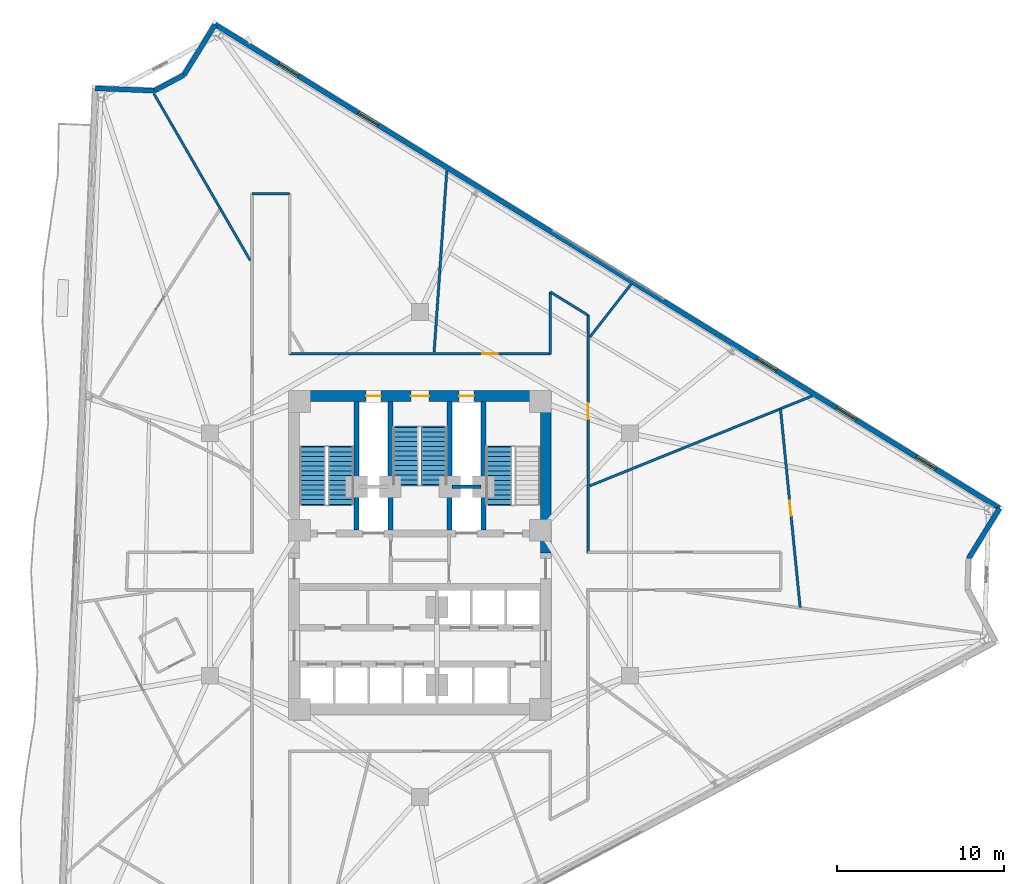
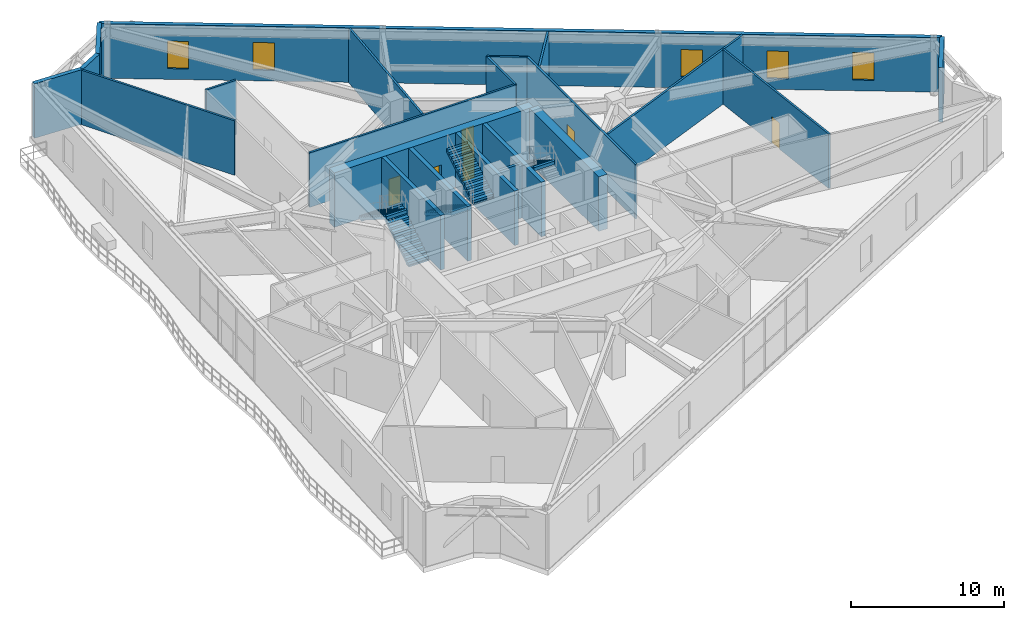
# One storey, part 19 of 22: 22 walls, 6 doors, 5 stair flights, 5 windows, 11 openings, 3 elements without a shape of their own.
"""IFC4 building model written with IfcOpenShell, lengths in metres."""

import ifcopenshell
import ifcopenshell.guid

model = None  # the IFC model being written
_history = None  # IfcOwnerHistory: only IFC2X3 demands one
_inside = {}  # id of a spatial element -> (the spatial element, [elements in it])
_under = {}  # id of a project, library or spatial element -> (it, [spatial elements below it])
_declared = {}  # id of a project -> (the project, [libraries it declares])
_typed = {}  # id of a type object -> (the type object, [elements of that type])
_made_of = {}  # id of a material, layer set ... -> (it, [elements and type objects made of it])


def new_model(schema):
    """Start an empty IFC model of exactly this schema.

    Asked for "IFC4X3", IfcOpenShell would pick the latest addendum, in which some entities
    have other attributes; the version numbers below select the first issue.
    IFC2X3 requires an IfcOwnerHistory on every rooted entity: one is made here for all.
    """
    global model, _history
    if schema == "IFC4X3":
        model = ifcopenshell.file(schema_version=(4, 3, 0, 0))
    else:
        model = ifcopenshell.file(schema=schema)
    _inside.clear()
    _under.clear()
    _declared.clear()
    _typed.clear()
    _made_of.clear()
    _history = None
    if model.schema == "IFC2X3":
        org = make("IfcOrganization", Name="unknown")
        user = make(
            "IfcPersonAndOrganization",
            ThePerson=make("IfcPerson", FamilyName="unknown"),
            TheOrganization=org,
        )
        app = make(
            "IfcApplication",
            ApplicationDeveloper=org,
            Version="unknown",
            ApplicationFullName="unknown",
            ApplicationIdentifier="unknown",
        )
        _history = make(
            "IfcOwnerHistory",
            OwningUser=user,
            OwningApplication=app,
            ChangeAction="ADDED",
            CreationDate=0,
        )
    return model


def make(cls, **values):
    """One entity of the class cls with the attributes given. An attribute that is None is left unset."""
    return model.create_entity(
        cls, **{name: value for name, value in values.items() if value is not None}
    )


def rooted(cls, **values):
    """An entity with a GlobalId (a new one), such as an element, a storey or a relation."""
    return make(cls, GlobalId=ifcopenshell.guid.new(), OwnerHistory=_history, **values)


def si_unit(unit_type, name, prefix=None):
    """IfcSIUnit, for example si_unit("LENGTHUNIT", "METRE", prefix="MILLI")."""
    return make("IfcSIUnit", UnitType=unit_type, Prefix=prefix, Name=name)


def assignment(units):
    """IfcUnitAssignment: the units of a project."""
    return None if units is None else make("IfcUnitAssignment", Units=units)


def point(xyz):
    """IfcCartesianPoint."""
    return None if xyz is None else make("IfcCartesianPoint", Coordinates=xyz)


def direction(xyz):
    """IfcDirection."""
    return None if xyz is None else make("IfcDirection", DirectionRatios=xyz)


def frame(location, z_axis=None, x_axis=None):
    """IfcAxis2Placement3D, a coordinate frame: its origin and axes. An axis left out is left unset."""
    return make(
        "IfcAxis2Placement3D",
        Location=point(location),
        Axis=direction(z_axis),
        RefDirection=direction(x_axis),
    )


def frame_2d(location, x_axis=None):
    """IfcAxis2Placement2D, a coordinate frame in the plane: its origin and x axis."""
    return make(
        "IfcAxis2Placement2D", Location=point(location), RefDirection=direction(x_axis)
    )


def origin():
    """The frame at (0, 0, 0) with its axes left unset."""
    return frame((0.0, 0.0, 0.0))


def place(relative_to, where):
    """IfcLocalPlacement: puts the frame where relative to a parent placement (None: the world)."""
    return make(
        "IfcLocalPlacement", PlacementRelTo=relative_to, RelativePlacement=where
    )


def context(
    kind, dimensions, precision=None, world=None, true_north=None, identifier=None
):
    """IfcGeometricRepresentationContext, for example the 3D "Model" context."""
    return make(
        "IfcGeometricRepresentationContext",
        ContextIdentifier=identifier,
        ContextType=kind,
        CoordinateSpaceDimension=dimensions,
        Precision=precision,
        WorldCoordinateSystem=world,
        TrueNorth=true_north,
    )


def subcontext(parent, identifier, kind, view, scale=None):
    """IfcGeometricRepresentationSubContext, for example "Body" below "Model"."""
    return make(
        "IfcGeometricRepresentationSubContext",
        ContextIdentifier=identifier,
        ContextType=kind,
        ParentContext=parent,
        TargetScale=scale,
        TargetView=view,
    )


def project(units=None, contexts=None):
    """IfcProject with its units and contexts."""
    return rooted(
        "IfcProject",
        Name="project",
        RepresentationContexts=contexts,
        UnitsInContext=assignment(units),
    )


def spatial(cls, under=None, at=None, **own):
    """A site, building, storey or space (cls), placed at a placement, below another one or the project."""
    s = rooted(cls, ObjectPlacement=at, **own)
    if under is not None:
        _under.setdefault(under.id(), (under, []))[1].append(s)
    return s


def polyline(points):
    """IfcPolyline through the points."""
    return make("IfcPolyline", Points=[point(p) for p in points])


def profile(cls, at=None, kind="AREA", **sizes):
    """A parametric profile (cls). Its sizes go by their IFC names, for example OverallWidth=200.0."""
    return make(cls, ProfileType=kind, Position=at, **sizes)


def rectangle(**sizes):
    """IfcRectangleProfileDef."""
    return profile("IfcRectangleProfileDef", **sizes)


def outline(outer, holes=None, kind="AREA"):
    """IfcArbitraryClosedProfileDef: a profile drawn as a closed curve; with holes, ...WithVoids."""
    if holes is None:
        return make("IfcArbitraryClosedProfileDef", ProfileType=kind, OuterCurve=outer)
    return make(
        "IfcArbitraryProfileDefWithVoids",
        ProfileType=kind,
        OuterCurve=outer,
        InnerCurves=holes,
    )


def extrude(swept, where, along, depth):
    """IfcExtrudedAreaSolid: the profile swept, set in the frame where, extruded along a direction by depth."""
    return make(
        "IfcExtrudedAreaSolid",
        SweptArea=swept,
        Position=where,
        ExtrudedDirection=direction(along),
        Depth=depth,
    )


def shape(context_of_items, identifier, shape_type, items):
    """IfcShapeRepresentation: the items that make up one representation, for example the "Body"."""
    return make(
        "IfcShapeRepresentation",
        ContextOfItems=context_of_items,
        RepresentationIdentifier=identifier,
        RepresentationType=shape_type,
        Items=items,
    )


def material(Name=None, Category=None):
    """IfcMaterial."""
    return make("IfcMaterial", Name=Name, Category=Category)


def layer(
    of_material, thickness, ventilated=None, Name=None, Category=None, Priority=None
):
    """IfcMaterialLayer: one layer of a wall or slab, of a material (None: an air gap)."""
    return make(
        "IfcMaterialLayer",
        Material=of_material,
        LayerThickness=thickness,
        IsVentilated=ventilated,
        Name=Name,
        Category=Category,
        Priority=Priority,
    )


def layer_set(layers, Name=None):
    """IfcMaterialLayerSet."""
    return make("IfcMaterialLayerSet", MaterialLayers=layers, LayerSetName=Name)


def made_of(thing, what):
    """Note that an element or type object is made of a material, layer set ...; save() writes the relation."""
    if what is not None:
        _made_of.setdefault(what.id(), (what, []))[1].append(thing)
    return thing


def type_object(cls, material=None, **own):
    """A type object (cls), such as IfcWallType, which elements share."""
    return made_of(rooted(cls, **own), material)


def element(
    cls,
    number,
    at=None,
    inside=None,
    cuts=None,
    type_object=None,
    material=None,
    context=None,
    identifier="Body",
    shape_type=None,
    held_by="IfcProductDefinitionShape",
    body=None,
    shapes=None,
    **own,
):
    """One element of the class cls, such as IfcWall. Its Tag is "e" and its number.

    at: its placement. inside: the storey or other place that contains it. cuts: it is an
    opening in that element (IfcRelVoidsElement). A single representation is given by context,
    identifier, shape_type and body (its items); several are given by shapes. held_by: the class
    of the entity that holds the representations. save() writes the other relations.
    """
    e = rooted(cls, Tag="e%d" % number, ObjectPlacement=at, **own)
    if body is not None:
        shapes = [shape(context, identifier, shape_type, body)]
    if shapes is not None:
        e.Representation = make(held_by, Representations=shapes)
    if inside is not None:
        _inside.setdefault(inside.id(), (inside, []))[1].append(e)
    if cuts is not None:
        rooted(
            "IfcRelVoidsElement", RelatingBuildingElement=cuts, RelatedOpeningElement=e
        )
    if type_object is not None:
        _typed.setdefault(type_object.id(), (type_object, []))[1].append(e)
    return made_of(e, material)


def fill(opening, filler):
    """IfcRelFillsElement: the door or window that sits in an opening."""
    return rooted(
        "IfcRelFillsElement",
        RelatingOpeningElement=opening,
        RelatedBuildingElement=filler,
    )


def aggregate(whole, parts):
    """IfcRelAggregates: a whole, such as a stair, and the parts it consists of."""
    return rooted("IfcRelAggregates", RelatingObject=whole, RelatedObjects=parts)


def save(model, path):
    """Write the relations noted so far, then the file.

    IfcRelAggregates (storeys below a building ...), IfcRelContainedInSpatialStructure (elements
    in a storey), IfcRelDefinesByType, IfcRelAssociatesMaterial and IfcRelDeclares: one each for
    every whole, place, type object, material and project.
    """
    for whole, parts in _under.values():
        aggregate(whole, parts)
    for where, things in _inside.values():
        rooted(
            "IfcRelContainedInSpatialStructure",
            RelatedElements=things,
            RelatingStructure=where,
        )
    for kind, things in _typed.values():
        rooted("IfcRelDefinesByType", RelatedObjects=things, RelatingType=kind)
    for what, things in _made_of.values():
        rooted("IfcRelAssociatesMaterial", RelatedObjects=things, RelatingMaterial=what)
    for by, libraries in _declared.values():
        rooted("IfcRelDeclares", RelatingContext=by, RelatedDefinitions=libraries)
    model.write(path)


model = new_model("IFC4")

# Units and contexts
model_context = context("Model", 3, precision=1e-05, world=origin(), true_north=direction((0.0, 1.0)))
body_context = subcontext(model_context, "Body", "Model", "MODEL_VIEW")
ifc_project = project(units=[si_unit("LENGTHUNIT", "METRE"), si_unit("AREAUNIT", "SQUARE_METRE"), si_unit("VOLUMEUNIT", "CUBIC_METRE"), si_unit("PLANEANGLEUNIT", "RADIAN"), si_unit("MASSUNIT", "GRAM", prefix="KILO")], contexts=[model_context])

# Site, building, storey
site_placement = place(None, origin())
site = spatial("IfcSite", under=ifc_project, at=site_placement, CompositionType="ELEMENT")
building_placement = place(site_placement, origin())
building = spatial("IfcBuilding", under=site, at=building_placement, Name="Apsidion Concourse Tower", CompositionType="ELEMENT")
storey_placement = place(building_placement, frame((0.0, 0.0, 160.89990234375)))
storey = spatial("IfcBuildingStorey", under=building, at=storey_placement, Name="L37", CompositionType="ELEMENT", Elevation=160.89990234375)

# Wall, openings, windows
ifc_material_1 = material(Name="Precast concrete C40/50", Category="concrete")
ifc_layer_1 = layer(ifc_material_1, 0.300048828125)
ifc_layer_set_1 = layer_set([ifc_layer_1], Name="Precast concrete C40/50")
wall_type_1 = type_object("IfcWallType", Name="WL-EXT-300", PredefinedType="STANDARD", material=ifc_layer_set_1)
wall_1_placement = place(storey_placement, frame((-12.255126953125, 31.68896484375, 0.0), z_axis=(0.0, 0.0, 1.0), x_axis=(0.851166647402, -0.524895549944, 0.0)))
wall_1 = element("IfcWall", 1, at=wall_1_placement, inside=storey, type_object=wall_type_1, Name="L37 Precast Stone Facade Wall 01", PredefinedType="STANDARD", context=body_context, shape_type="SweptSolid", body=[
    extrude(rectangle(XDim=55.110595703125, YDim=0.300048828125, at=frame_2d((27.55517578125, 0.0))), origin(), (0.0, 0.0, 1.0), 4.35009765625),
])
opening_1_placement = place(wall_1_placement, frame((4.455322265625, 0.0, 0.85009765625)))
opening_1 = element("IfcOpeningElement", 2, at=opening_1_placement, cuts=wall_1, Name="Opening WN-05", PredefinedType="OPENING", context=body_context, shape_type="SweptSolid", body=[
    extrude(rectangle(XDim=1.39990234375, YDim=2.199951171875, at=frame_2d((0.699951171875, 1.10009765625))), frame((0.0, 0.16015625, 0.0), z_axis=(0.0, -1.0, 0.0), x_axis=(1.0, 0.0, 0.0)), (0.0, 0.0, 1.0), 0.320068359375),
])
opening_2_placement = place(wall_1_placement, frame((10.055419921875, 0.0, 0.85009765625)))
opening_2 = element("IfcOpeningElement", 3, at=opening_2_placement, cuts=wall_1, Name="Opening WN-05", PredefinedType="OPENING", context=body_context, shape_type="SweptSolid", body=[
    extrude(rectangle(XDim=1.39990234375, YDim=2.199951171875, at=frame_2d((0.699951171875, 1.10009765625))), frame((0.0, 0.16015625, 0.0), z_axis=(0.0, -1.0, 0.0), x_axis=(1.0, 0.0, 0.0)), (0.0, 0.0, 1.0), 0.320068359375),
])
opening_3_placement = place(wall_1_placement, frame((38.055419921875, 0.0, 0.85009765625)))
opening_3 = element("IfcOpeningElement", 4, at=opening_3_placement, cuts=wall_1, Name="Opening WN-05", PredefinedType="OPENING", context=body_context, shape_type="SweptSolid", body=[
    extrude(rectangle(XDim=1.39990234375, YDim=2.199951171875, at=frame_2d((0.699951171875, 1.10009765625))), frame((0.0, 0.16015625, 0.0), z_axis=(0.0, -1.0, 0.0), x_axis=(1.0, 0.0, 0.0)), (0.0, 0.0, 1.0), 0.320068359375),
])
opening_4_placement = place(wall_1_placement, frame((43.6552734375, 0.0, 0.85009765625)))
opening_4 = element("IfcOpeningElement", 5, at=opening_4_placement, cuts=wall_1, Name="Opening WN-05", PredefinedType="OPENING", context=body_context, shape_type="SweptSolid", body=[
    extrude(rectangle(XDim=1.39990234375, YDim=2.199951171875, at=frame_2d((0.699951171875, 1.10009765625))), frame((0.0, 0.16015625, 0.0), z_axis=(0.0, -1.0, 0.0), x_axis=(1.0, 0.0, 0.0)), (0.0, 0.0, 1.0), 0.320068359375),
])
opening_5_placement = place(wall_1_placement, frame((49.25537109375, 0.0, 0.85009765625)))
opening_5 = element("IfcOpeningElement", 6, at=opening_5_placement, cuts=wall_1, Name="Opening WN-05", PredefinedType="OPENING", context=body_context, shape_type="SweptSolid", body=[
    extrude(rectangle(XDim=1.39990234375, YDim=2.199951171875, at=frame_2d((0.699951171875, 1.10009765625))), frame((0.0, 0.16015625, 0.0), z_axis=(0.0, -1.0, 0.0), x_axis=(1.0, 0.0, 0.0)), (0.0, 0.0, 1.0), 0.320068359375),
])
ifc_material_2 = material(Name="Insulated laminated low-E glass", Category="glass")
window_type = type_object("IfcWindowType", Name="WN-OFF-1424", PartitioningType="SINGLE_PANEL", PredefinedType="WINDOW", material=ifc_material_2)
window_1_placement = place(opening_1_placement, origin())
window_1 = element("IfcWindow", 7, at=window_1_placement, inside=storey, type_object=window_type, Name="L37 Punched Facade Window 1-01", OverallHeight=2.199951171875, OverallWidth=1.39990234375, PartitioningType="SINGLE_PANEL", PredefinedType="WINDOW", context=body_context, shape_type="SweptSolid", body=[
    extrude(rectangle(XDim=1.39990234375, YDim=2.199951171875, at=frame_2d((0.699951171875, 1.10009765625))), frame((0.0, 0.030029296875, 0.0), z_axis=(0.0, -1.0, 0.0), x_axis=(1.0, 0.0, 0.0)), (0.0, 0.0, 1.0), 0.06005859375),
])
fill(opening_1, window_1)
window_2_placement = place(opening_2_placement, origin())
window_2 = element("IfcWindow", 8, at=window_2_placement, inside=storey, type_object=window_type, Name="L37 Punched Facade Window 1-02", OverallHeight=2.199951171875, OverallWidth=1.39990234375, PartitioningType="SINGLE_PANEL", PredefinedType="WINDOW", context=body_context, shape_type="SweptSolid", body=[
    extrude(rectangle(XDim=1.39990234375, YDim=2.199951171875, at=frame_2d((0.699951171875, 1.10009765625))), frame((0.0, 0.030029296875, 0.0), z_axis=(0.0, -1.0, 0.0), x_axis=(1.0, 0.0, 0.0)), (0.0, 0.0, 1.0), 0.06005859375),
])
fill(opening_2, window_2)
window_3_placement = place(opening_3_placement, origin())
window_3 = element("IfcWindow", 9, at=window_3_placement, inside=storey, type_object=window_type, Name="L37 Punched Facade Window 1-07", OverallHeight=2.199951171875, OverallWidth=1.39990234375, PartitioningType="SINGLE_PANEL", PredefinedType="WINDOW", context=body_context, shape_type="SweptSolid", body=[
    extrude(rectangle(XDim=1.39990234375, YDim=2.199951171875, at=frame_2d((0.699951171875, 1.10009765625))), frame((0.0, 0.030029296875, 0.0), z_axis=(0.0, -1.0, 0.0), x_axis=(1.0, 0.0, 0.0)), (0.0, 0.0, 1.0), 0.06005859375),
])
fill(opening_3, window_3)
window_4_placement = place(opening_4_placement, origin())
window_4 = element("IfcWindow", 10, at=window_4_placement, inside=storey, type_object=window_type, Name="L37 Punched Facade Window 1-08", OverallHeight=2.199951171875, OverallWidth=1.39990234375, PartitioningType="SINGLE_PANEL", PredefinedType="WINDOW", context=body_context, shape_type="SweptSolid", body=[
    extrude(rectangle(XDim=1.39990234375, YDim=2.199951171875, at=frame_2d((0.699951171875, 1.10009765625))), frame((0.0, 0.030029296875, 0.0), z_axis=(0.0, -1.0, 0.0), x_axis=(1.0, 0.0, 0.0)), (0.0, 0.0, 1.0), 0.06005859375),
])
fill(opening_4, window_4)
window_5_placement = place(opening_5_placement, origin())
window_5 = element("IfcWindow", 11, at=window_5_placement, inside=storey, type_object=window_type, Name="L37 Punched Facade Window 1-09", OverallHeight=2.199951171875, OverallWidth=1.39990234375, PartitioningType="SINGLE_PANEL", PredefinedType="WINDOW", context=body_context, shape_type="SweptSolid", body=[
    extrude(rectangle(XDim=1.39990234375, YDim=2.199951171875, at=frame_2d((0.699951171875, 1.10009765625))), frame((0.0, 0.030029296875, 0.0), z_axis=(0.0, -1.0, 0.0), x_axis=(1.0, 0.0, 0.0)), (0.0, 0.0, 1.0), 0.06005859375),
])
fill(opening_5, window_5)

# Walls
wall_2_placement = place(storey_placement, frame((34.653076171875, 2.76171875, 0.0), z_axis=(0.0, 0.0, 1.0), x_axis=(-0.524920336071, -0.85115136185, 0.0)))
element("IfcWall", 12, at=wall_2_placement, inside=storey, type_object=wall_type_1, Name="L37 Precast Stone Facade Wall 02", PredefinedType="STANDARD", context=body_context, shape_type="SweptSolid", body=[
    extrude(rectangle(XDim=3.541259765625, YDim=0.300048828125, at=frame_2d((1.7705078125, 0.0))), origin(), (0.0, 0.0, 1.0), 4.35009765625),
])
wall_3_placement = place(storey_placement, frame((-19.418212890625, 27.880126953125, 0.0), z_axis=(0.0, 0.0, 1.0), x_axis=(0.999167250485, -0.040802028853, 0.0)))
element("IfcWall", 13, at=wall_3_placement, inside=storey, type_object=wall_type_1, Name="L37 Precast Stone Facade Wall 10", PredefinedType="STANDARD", context=body_context, shape_type="SweptSolid", body=[
    extrude(rectangle(XDim=3.542236328125, YDim=0.300048828125, at=frame_2d((1.77099609375, 0.0))), origin(), (0.0, 0.0, 1.0), 4.35009765625),
])
wall_4_placement = place(storey_placement, frame((-15.87890625, 27.735595703125, 0.0), z_axis=(0.0, 0.0, 1.0), x_axis=(0.882930579665, 0.469503558552, 0.0)))
element("IfcWall", 14, at=wall_4_placement, inside=storey, type_object=wall_type_1, Name="L37 Precast Stone Facade Wall 11", PredefinedType="STANDARD", context=body_context, shape_type="SweptSolid", body=[
    extrude(rectangle(XDim=1.998291015625, YDim=0.300048828125, at=frame_2d((0.9990234375, 0.0))), origin(), (0.0, 0.0, 1.0), 4.35009765625),
])
wall_5_placement = place(storey_placement, frame((-14.114501953125, 28.673828125, 0.0), z_axis=(0.0, 0.0, 1.0), x_axis=(0.524897025004, 0.851165737763, 0.0)))
element("IfcWall", 15, at=wall_5_placement, inside=storey, type_object=wall_type_1, Name="L37 Precast Stone Facade Wall 12", PredefinedType="STANDARD", context=body_context, shape_type="SweptSolid", body=[
    extrude(rectangle(XDim=3.54248046875, YDim=0.300048828125, at=frame_2d((1.771240234375, 0.0))), origin(), (0.0, 0.0, 1.0), 4.35009765625),
])
ifc_material_3 = material(Name="Gypsum plasterboard partition")
ifc_layer_2 = layer(ifc_material_3, 0.14990234375)
ifc_layer_set_2 = layer_set([ifc_layer_2], Name="Gypsum plasterboard partition")
wall_type_2 = type_object("IfcWallType", Name="WL-INT-PAR-150", PredefinedType="PARTITIONING", material=ifc_layer_set_2)
wall_6_placement = place(storey_placement, frame((-10.050048828125, 21.580078125, 0.0), z_axis=(0.0, 0.0, 1.0), x_axis=(1.0, 0.0, 0.0)))
element("IfcWall", 16, at=wall_6_placement, inside=storey, type_object=wall_type_2, Name="L37 Interior Partition WL-L37-CORR-11", PredefinedType="PARTITIONING", context=body_context, shape_type="SweptSolid", body=[
    extrude(rectangle(XDim=2.260009765625, YDim=0.14990234375, at=frame_2d((1.1298828125, 0.0))), origin(), (0.0, 0.0, 1.0), 4.35009765625),
])

# Wall, opening, door
wall_7_placement = place(storey_placement, frame((-7.7900390625, 12.0, 0.0), z_axis=(0.0, 0.0, 1.0), x_axis=(1.0, 0.0, 0.0)))
wall_7 = element("IfcWall", 17, at=wall_7_placement, inside=storey, type_object=wall_type_2, Name="L37 Interior Partition WL-L37-CORR-13", PredefinedType="PARTITIONING", context=body_context, shape_type="SweptSolid", body=[
    extrude(rectangle(XDim=15.580078125, YDim=0.14990234375, at=frame_2d((7.7900390625, 0.0))), origin(), (0.0, 0.0, 1.0), 4.35009765625),
])
opening_6_placement = place(wall_7_placement, frame((11.50439453125, 0.0, 0.0)))
opening_6 = element("IfcOpeningElement", 18, at=opening_6_placement, cuts=wall_7, Name="Opening D-01R", PredefinedType="OPENING", context=body_context, shape_type="SweptSolid", body=[
    extrude(rectangle(XDim=0.949951171875, YDim=2.14990234375, at=frame_2d((0.47509765625, 1.074951171875))), frame((0.0, 0.0849609375, 0.0), z_axis=(0.0, -1.0, 0.0), x_axis=(1.0, 0.0, 0.0)), (0.0, 0.0, 1.0), 0.169921875),
])
ifc_material_4 = material(Name="Brushed stainless steel 316", Category="steel")
door_type_1 = type_object("IfcDoorType", Name="DR-INT-D01R", OperationType="SINGLE_SWING_RIGHT", PredefinedType="DOOR", material=ifc_material_4)
door_1_placement = place(opening_6_placement, origin())
door_1 = element("IfcDoor", 19, at=door_1_placement, inside=storey, type_object=door_type_1, Name="L37 Corridor Entry Door 08", OperationType="SINGLE_SWING_RIGHT", OverallHeight=2.14990234375, OverallWidth=0.949951171875, PredefinedType="DOOR", context=body_context, shape_type="SweptSolid", body=[
    extrude(rectangle(XDim=0.949951171875, YDim=2.14990234375, at=frame_2d((0.47509765625, 1.074951171875))), frame((0.0, 0.02490234375, 0.0), z_axis=(0.0, -1.0, 0.0), x_axis=(1.0, 0.0, 0.0)), (0.0, 0.0, 1.0), 0.050048828125),
])
fill(opening_6, door_1)

# Walls
wall_8_placement = place(storey_placement, frame((7.7900390625, 12.0, 0.0), z_axis=(0.0, 0.0, 1.0), x_axis=(0.0, 1.0, 0.0)))
element("IfcWall", 20, at=wall_8_placement, inside=storey, type_object=wall_type_2, Name="L37 Interior Partition WL-L37-CORR-14", PredefinedType="PARTITIONING", context=body_context, shape_type="SweptSolid", body=[
    extrude(rectangle(XDim=3.703125, YDim=0.14990234375, at=frame_2d((1.8515625, 0.0))), origin(), (0.0, 0.0, 1.0), 4.35009765625),
])
wall_9_placement = place(storey_placement, frame((7.7900390625, 15.703125, 0.0), z_axis=(0.0, 0.0, 1.0), x_axis=(0.851190724913, -0.52485650403, 0.0)))
element("IfcWall", 21, at=wall_9_placement, inside=storey, type_object=wall_type_2, Name="L37 Interior Partition WL-L37-CORR-15", PredefinedType="PARTITIONING", context=body_context, shape_type="SweptSolid", body=[
    extrude(rectangle(XDim=2.655029296875, YDim=0.14990234375, at=frame_2d((1.32763671875, 0.0))), origin(), (0.0, 0.0, 1.0), 4.35009765625),
])

# Wall, opening, door
wall_10_placement = place(storey_placement, frame((10.050048828125, 14.3095703125, 0.0), z_axis=(0.0, 0.0, 1.0), x_axis=(0.0, -1.0, 0.0)))
wall_10 = element("IfcWall", 22, at=wall_10_placement, inside=storey, type_object=wall_type_2, Name="L37 Interior Partition WL-L37-CORR-16", PredefinedType="PARTITIONING", context=body_context, shape_type="SweptSolid", body=[
    extrude(rectangle(XDim=14.1796875, YDim=0.14990234375, at=frame_2d((7.08984375, 0.0))), origin(), (0.0, 0.0, 1.0), 4.35009765625),
])
opening_7_placement = place(wall_10_placement, frame((5.264892578125, 0.0, 0.0)))
opening_7 = element("IfcOpeningElement", 23, at=opening_7_placement, cuts=wall_10, Name="Opening D-01L", PredefinedType="OPENING", context=body_context, shape_type="SweptSolid", body=[
    extrude(rectangle(XDim=0.949951171875, YDim=2.14990234375, at=frame_2d((0.47509765625, 1.074951171875))), frame((0.0, 0.0849609375, 0.0), z_axis=(0.0, -1.0, 0.0), x_axis=(1.0, 0.0, 0.0)), (0.0, 0.0, 1.0), 0.169921875),
])
door_type_2 = type_object("IfcDoorType", Name="DR-INT-D01L", OperationType="SINGLE_SWING_LEFT", PredefinedType="DOOR", material=ifc_material_4)
door_2_placement = place(opening_7_placement, origin())
door_2 = element("IfcDoor", 24, at=door_2_placement, inside=storey, type_object=door_type_2, Name="L37 Corridor Entry Door 07", OperationType="SINGLE_SWING_LEFT", OverallHeight=2.14990234375, OverallWidth=0.949951171875, PredefinedType="DOOR", context=body_context, shape_type="SweptSolid", body=[
    extrude(rectangle(XDim=0.949951171875, YDim=2.14990234375, at=frame_2d((0.47509765625, 1.074951171875))), frame((0.0, 0.02490234375, 0.0), z_axis=(0.0, -1.0, 0.0), x_axis=(1.0, 0.0, 0.0)), (0.0, 0.0, 1.0), 0.050048828125),
])
fill(opening_7, door_2)

# Walls
wall_11_placement = place(storey_placement, frame((10.155029296875, 4.102783203125, 0.0), z_axis=(0.0, 0.0, 1.0), x_axis=(0.927179646955, 0.374617007452, 0.0)))
element("IfcWall", 25, at=wall_11_placement, inside=storey, type_object=wall_type_2, Name="L37 Interior Partition WL-L37-RAD-01-1", PredefinedType="PARTITIONING", context=body_context, shape_type="SweptSolid", body=[
    extrude(rectangle(XDim=14.341552734375, YDim=0.14990234375, at=frame_2d((7.1708984375, 0.0))), origin(), (0.0, 0.0, 1.0), 4.35009765625),
])
wall_12_placement = place(storey_placement, frame((10.155029296875, 12.997802734375, 0.0), z_axis=(0.0, 0.0, 1.0), x_axis=(0.615652321332, 0.788017905405, 0.0)))
element("IfcWall", 26, at=wall_12_placement, inside=storey, type_object=wall_type_2, Name="L37 Interior Partition WL-L37-RAD-02-1", PredefinedType="PARTITIONING", context=body_context, shape_type="SweptSolid", body=[
    extrude(rectangle(XDim=4.005615234375, YDim=0.14990234375, at=frame_2d((2.0029296875, 0.0))), origin(), (0.0, 0.0, 1.0), 4.35009765625),
])
wall_13_placement = place(storey_placement, frame((0.846435546875, 12.10498046875, 0.0), z_axis=(0.0, 0.0, 1.0), x_axis=(0.069764084547, 0.997563518031, 0.0)))
element("IfcWall", 27, at=wall_13_placement, inside=storey, type_object=wall_type_2, Name="L37 Interior Partition WL-L37-RAD-03-1", PredefinedType="PARTITIONING", context=body_context, shape_type="SweptSolid", body=[
    extrude(rectangle(XDim=10.869384765625, YDim=0.14990234375, at=frame_2d((5.4345703125, 0.0))), origin(), (0.0, 0.0, 1.0), 4.35009765625),
])
wall_14_placement = place(storey_placement, frame((-10.155029296875, 17.589111328125, 0.0), z_axis=(0.0, 0.0, 1.0), x_axis=(-0.500002342851, 0.866024051134, 0.0)))
element("IfcWall", 28, at=wall_14_placement, inside=storey, type_object=wall_type_2, Name="L37 Interior Partition WL-L37-RAD-04-2", PredefinedType="PARTITIONING", context=body_context, shape_type="SweptSolid", body=[
    extrude(rectangle(XDim=11.52734375, YDim=0.14990234375, at=frame_2d((5.763671875, 0.0))), origin(), (0.0, 0.0, 1.0), 4.35009765625),
])

# Wall, opening, door
wall_15_placement = place(storey_placement, frame((22.735595703125, -3.169921875, 0.0), z_axis=(0.0, 0.0, 1.0), x_axis=(-0.098369403211, 0.995149968855, 0.0)))
wall_15 = element("IfcWall", 29, at=wall_15_placement, inside=storey, type_object=wall_type_2, Name="L37 Interior Partition WL-L37-CHD-OFS05", PredefinedType="PARTITIONING", context=body_context, shape_type="SweptSolid", body=[
    extrude(rectangle(XDim=11.9130859375, YDim=0.14990234375, at=frame_2d((5.95654296875, 0.0))), origin(), (0.0, 0.0, 1.0), 4.35009765625),
])
opening_8_placement = place(wall_15_placement, frame((5.506591796875, 0.0, 0.0)))
opening_8 = element("IfcOpeningElement", 30, at=opening_8_placement, cuts=wall_15, Name="Opening D-02R", PredefinedType="OPENING", context=body_context, shape_type="SweptSolid", body=[
    extrude(rectangle(XDim=0.89990234375, YDim=2.10009765625, at=frame_2d((0.449951171875, 1.050048828125))), frame((0.0, 0.0849609375, 0.0), z_axis=(0.0, -1.0, 0.0), x_axis=(1.0, 0.0, 0.0)), (0.0, 0.0, 1.0), 0.169921875),
])
ifc_material_5 = material(Name="Anodised aluminium EN AW-6063 T6", Category="aluminium")
door_type_3 = type_object("IfcDoorType", Name="DR-INT-D02R", OperationType="SINGLE_SWING_RIGHT", PredefinedType="DOOR", material=ifc_material_5)
door_3_placement = place(opening_8_placement, origin())
door_3 = element("IfcDoor", 31, at=door_3_placement, inside=storey, type_object=door_type_3, Name="L37 Suite Connecting Door OFS05", OperationType="SINGLE_SWING_RIGHT", OverallHeight=2.10009765625, OverallWidth=0.89990234375, PredefinedType="DOOR", context=body_context, shape_type="SweptSolid", body=[
    extrude(rectangle(XDim=0.89990234375, YDim=2.10009765625, at=frame_2d((0.449951171875, 1.050048828125))), frame((0.0, 0.02490234375, 0.0), z_axis=(0.0, -1.0, 0.0), x_axis=(1.0, 0.0, 0.0)), (0.0, 0.0, 1.0), 0.050048828125),
])
fill(opening_8, door_3)

# Walls
ifc_layer_3 = layer(ifc_material_3, 0.199951171875)
ifc_layer_set_3 = layer_set([ifc_layer_3], Name="Gypsum plasterboard partition")
wall_type_3 = type_object("IfcWallType", Name="WL-INT-PAR-200", PredefinedType="PARTITIONING", material=ifc_layer_set_3)
wall_16_placement = place(storey_placement, frame((1.919921875, 4.050048828125, 0.0), z_axis=(0.0, 0.0, 1.0), x_axis=(1.0, 0.0, 0.0)))
element("IfcWall", 32, at=wall_16_placement, inside=storey, type_object=wall_type_3, Name="L37 Interior Partition WL-L37-FF2-N", PredefinedType="PARTITIONING", context=body_context, shape_type="SweptSolid", body=[
    extrude(rectangle(XDim=1.72998046875, YDim=0.199951171875, at=frame_2d((0.864990234375, 0.0))), origin(), (0.0, 0.0, 1.0), 4.35009765625),
])
ifc_material_6 = material(Name="Concrete C50/60", Category="concrete")
ifc_layer_4 = layer(ifc_material_6, 0.300048828125)
ifc_layer_set_4 = layer_set([ifc_layer_4], Name="Concrete C50/60")
wall_type_4 = type_object("IfcWallType", Name="WL-SH-300", PredefinedType="SHEAR", material=ifc_layer_set_4)
for number, where, z_axis, x_axis, name in (
    (33, (-3.800048828125, 1.449951171875, 0.0), (0.0, 0.0, 1.0), (0.0, 1.0, 0.0), "L37 Central Core Shear Wall V1"),
    (34, (-1.77490234375, 1.449951171875, 0.0), (0.0, 0.0, 1.0), (0.0, 1.0, 0.0), "L37 Central Core Shear Wall V2"),
    (35, (1.77490234375, 1.449951171875, 0.0), (0.0, 0.0, 1.0), (0.0, 1.0, 0.0), "L37 Central Core Shear Wall V3"),
    (36, (3.800048828125, 1.449951171875, 0.0), (0.0, 0.0, 1.0), (0.0, 1.0, 0.0), "L37 Central Core Shear Wall V4"),
):
    element("IfcWall", number, at=place(storey_placement, frame(where, z_axis=z_axis, x_axis=x_axis)), inside=storey, type_object=wall_type_4, Name=name, PredefinedType="SHEAR", context=body_context, shape_type="SweptSolid", body=[
        extrude(rectangle(XDim=7.699951171875, YDim=0.300048828125, at=frame_2d((3.85009765625, 0.0))), origin(), (0.0, 0.0, 1.0), 4.35009765625),
    ])

# Wall, openings, doors
ifc_layer_5 = layer(ifc_material_6, 0.64990234375)
ifc_layer_set_5 = layer_set([ifc_layer_5], Name="Concrete C50/60")
wall_type_5 = type_object("IfcWallType", Name="WL-SH-650", PredefinedType="SHEAR", material=ifc_layer_set_5)
wall_17_placement = place(storey_placement, frame((-7.52490234375, 9.47509765625, 0.0), z_axis=(0.0, 0.0, 1.0), x_axis=(1.0, 0.0, 0.0)))
wall_17 = element("IfcWall", 37, at=wall_17_placement, inside=storey, type_object=wall_type_5, Name="L37 Central Core Shear Wall N", PredefinedType="SHEAR", context=body_context, shape_type="SweptSolid", body=[
    extrude(rectangle(XDim=15.0498046875, YDim=0.64990234375, at=frame_2d((7.52490234375, 0.0))), origin(), (0.0, 0.0, 1.0), 4.35009765625),
])
opening_9_placement = place(wall_17_placement, frame((6.97509765625, 0.0, 0.0)))
opening_9 = element("IfcOpeningElement", 38, at=opening_9_placement, cuts=wall_17, Name="Opening D-STL", PredefinedType="OPENING", context=body_context, shape_type="SweptSolid", body=[
    extrude(rectangle(XDim=1.10009765625, YDim=2.14990234375, at=frame_2d((0.550048828125, 1.074951171875))), frame((0.0, 0.3349609375, 0.0), z_axis=(0.0, -1.0, 0.0), x_axis=(1.0, 0.0, 0.0)), (0.0, 0.0, 1.0), 0.669921875),
])
opening_10_placement = place(wall_17_placement, frame((4.304931640625, 0.0, 0.0)))
opening_10 = element("IfcOpeningElement", 39, at=opening_10_placement, cuts=wall_17, Name="Opening D-05L", PredefinedType="OPENING", context=body_context, shape_type="SweptSolid", body=[
    extrude(rectangle(XDim=0.8798828125, YDim=2.14990234375, at=frame_2d((0.43994140625, 1.074951171875))), frame((0.0, 0.3349609375, 0.0), z_axis=(0.0, -1.0, 0.0), x_axis=(1.0, 0.0, 0.0)), (0.0, 0.0, 1.0), 0.669921875),
])
opening_11_placement = place(wall_17_placement, frame((9.864990234375, 0.0, 0.0)))
opening_11 = element("IfcOpeningElement", 40, at=opening_11_placement, cuts=wall_17, Name="Opening D-05R", PredefinedType="OPENING", context=body_context, shape_type="SweptSolid", body=[
    extrude(rectangle(XDim=0.8798828125, YDim=2.14990234375, at=frame_2d((0.43994140625, 1.074951171875))), frame((0.0, 0.3349609375, 0.0), z_axis=(0.0, -1.0, 0.0), x_axis=(1.0, 0.0, 0.0)), (0.0, 0.0, 1.0), 0.669921875),
])
door_type_4 = type_object("IfcDoorType", Name="DR-INT-D05L", OperationType="SINGLE_SWING_LEFT", PredefinedType="DOOR", material=ifc_material_4)
door_4_placement = place(opening_10_placement, origin())
door_4 = element("IfcDoor", 41, at=door_4_placement, inside=storey, type_object=door_type_4, Name="L37 Electrical Riser Shaft Access Door", OperationType="SINGLE_SWING_LEFT", OverallHeight=2.14990234375, OverallWidth=0.8798828125, PredefinedType="DOOR", context=body_context, shape_type="SweptSolid", body=[
    extrude(rectangle(XDim=0.8798828125, YDim=2.14990234375, at=frame_2d((0.43994140625, 1.074951171875))), frame((0.0, 0.02490234375, 0.0), z_axis=(0.0, -1.0, 0.0), x_axis=(1.0, 0.0, 0.0)), (0.0, 0.0, 1.0), 0.050048828125),
])
fill(opening_10, door_4)
door_type_5 = type_object("IfcDoorType", Name="DR-INT-D05R", OperationType="SINGLE_SWING_RIGHT", PredefinedType="DOOR", material=ifc_material_4)
door_5_placement = place(opening_11_placement, origin())
door_5 = element("IfcDoor", 42, at=door_5_placement, inside=storey, type_object=door_type_5, Name="L37 Mechanical Riser Shaft Access Door", OperationType="SINGLE_SWING_RIGHT", OverallHeight=2.14990234375, OverallWidth=0.8798828125, PredefinedType="DOOR", context=body_context, shape_type="SweptSolid", body=[
    extrude(rectangle(XDim=0.8798828125, YDim=2.14990234375, at=frame_2d((0.43994140625, 1.074951171875))), frame((0.0, 0.02490234375, 0.0), z_axis=(0.0, -1.0, 0.0), x_axis=(1.0, 0.0, 0.0)), (0.0, 0.0, 1.0), 0.050048828125),
])
fill(opening_11, door_5)
door_type_6 = type_object("IfcDoorType", Name="DR-INT-ST1L", OperationType="SINGLE_SWING_LEFT", PredefinedType="DOOR", material=ifc_material_4)
door_6_placement = place(opening_9_placement, origin())
door_6 = element("IfcDoor", 43, at=door_6_placement, inside=storey, type_object=door_type_6, Name="L37 Core Exit Stair ST3 Door", OperationType="SINGLE_SWING_LEFT", OverallHeight=2.14990234375, OverallWidth=1.10009765625, PredefinedType="DOOR", context=body_context, shape_type="SweptSolid", body=[
    extrude(rectangle(XDim=1.10009765625, YDim=2.14990234375, at=frame_2d((0.550048828125, 1.074951171875))), frame((0.0, 0.02490234375, 0.0), z_axis=(0.0, -1.0, 0.0), x_axis=(1.0, 0.0, 0.0)), (0.0, 0.0, 1.0), 0.050048828125),
])
fill(opening_9, door_6)

# Wall
wall_18_placement = place(storey_placement, frame((7.52490234375, 0.10009765625, 0.0), z_axis=(0.0, 0.0, 1.0), x_axis=(0.0, 1.0, 0.0)))
element("IfcWall", 44, at=wall_18_placement, inside=storey, type_object=wall_type_5, Name="L37 Central Core Shear Wall EN", PredefinedType="SHEAR", context=body_context, shape_type="SweptSolid", body=[
    extrude(rectangle(XDim=9.0498046875, YDim=0.64990234375, at=frame_2d((4.52490234375, 0.0))), origin(), (0.0, 0.0, 1.0), 4.35009765625),
])

# Stair, stair flights
stair_type = type_object("IfcStairType", Name="ST-DL-1550", PredefinedType="HALF_TURN_STAIR", material=ifc_material_1)
stair_1_placement = place(storey_placement, origin())
stair_1 = element("IfcStair", 45, at=stair_1_placement, inside=storey, type_object=stair_type, Name="L37 Protected Core Exit Stair ST1", PredefinedType="HALF_TURN_STAIR")
stair_flight_type = type_object("IfcStairFlightType", Name="SFL-RC-1550", PredefinedType="STRAIGHT", material=ifc_material_1)
stair_flight_1_placement = place(storey_placement, frame((-4.72509765625, 3.0, 0.0), z_axis=(0.0, 0.0, 1.0), x_axis=(0.0, 1.0, 0.0)))
stair_flight_1 = element("IfcStairFlight", 46, at=stair_flight_1_placement, type_object=stair_flight_type, Name="ST1 flight 1", NumberOfRisers=13, NumberOfTreads=12, PredefinedType="STRAIGHT", RiserHeight=0.176923077, TreadLength=0.285, context=body_context, shape_type="SweptSolid", body=[
    extrude(outline(polyline([(-0.080078125, -0.1123046875), (-0.080078125, 0.0), (0.0, 0.0), (0.0, 0.177001953125), (0.284912109375, 0.177001953125), (0.284912109375, 0.353759765625), (0.570068359375, 0.353759765625), (0.570068359375, 0.53076171875), (0.85498046875, 0.53076171875), (0.85498046875, 0.707763671875), (1.139892578125, 0.707763671875), (1.139892578125, 0.884521484375), (1.425048828125, 0.884521484375), (1.425048828125, 1.0615234375), (1.7099609375, 1.0615234375), (1.7099609375, 1.238525390625), (1.9951171875, 1.238525390625), (1.9951171875, 1.415283203125), (2.280029296875, 1.415283203125), (2.280029296875, 1.59228515625), (2.56494140625, 1.59228515625), (2.56494140625, 1.769287109375), (2.85009765625, 1.769287109375), (2.85009765625, 1.946044921875), (3.135009765625, 1.946044921875), (3.135009765625, 2.123046875), (3.419921875, 2.123046875), (3.419921875, 2.300048828125), (3.5, 2.21142578125), (3.5, 1.946533203125), (3.419921875, 1.946533203125), (0.2841796875, 0.0), (0.2841796875, -0.1123046875), (-0.080078125, -0.1123046875)])), frame((0.0, 0.77490234375, 0.0), z_axis=(0.0, -1.0, 0.0), x_axis=(1.0, 0.0, 0.0)), (0.0, 0.0, 1.0), 1.550048828125),
])
stair_flight_2_placement = place(storey_placement, frame((-6.425048828125, 6.419921875, 2.300048828125), z_axis=(0.0, 0.0, 1.0), x_axis=(0.0, -1.0, 0.0)))
stair_flight_2 = element("IfcStairFlight", 47, at=stair_flight_2_placement, type_object=stair_flight_type, Name="ST1 flight 2", NumberOfRisers=13, NumberOfTreads=12, PredefinedType="STRAIGHT", RiserHeight=0.176923077, TreadLength=0.285, context=body_context, shape_type="SweptSolid", body=[
    extrude(outline(polyline([(-0.080078125, -0.1123046875), (-0.080078125, 0.0), (0.0, 0.0), (0.0, 0.177001953125), (0.284912109375, 0.177001953125), (0.284912109375, 0.353759765625), (0.570068359375, 0.353759765625), (0.570068359375, 0.53076171875), (0.85498046875, 0.53076171875), (0.85498046875, 0.707763671875), (1.139892578125, 0.707763671875), (1.139892578125, 0.884521484375), (1.425048828125, 0.884521484375), (1.425048828125, 1.0615234375), (1.7099609375, 1.0615234375), (1.7099609375, 1.238525390625), (1.9951171875, 1.238525390625), (1.9951171875, 1.415283203125), (2.280029296875, 1.415283203125), (2.280029296875, 1.59228515625), (2.56494140625, 1.59228515625), (2.56494140625, 1.769287109375), (2.85009765625, 1.769287109375), (2.85009765625, 1.946044921875), (3.135009765625, 1.946044921875), (3.135009765625, 2.123046875), (3.419921875, 2.123046875), (3.419921875, 2.300048828125), (3.5, 2.21142578125), (3.5, 1.946533203125), (3.419921875, 1.946533203125), (0.2841796875, 0.0), (0.2841796875, -0.1123046875), (-0.080078125, -0.1123046875)])), frame((0.0, 0.77490234375, 0.0), z_axis=(0.0, -1.0, 0.0), x_axis=(1.0, 0.0, 0.0)), (0.0, 0.0, 1.0), 1.550048828125),
])
aggregate(stair_1, [stair_flight_1, stair_flight_2])

# Stair, stair flight
stair_2_placement = place(storey_placement, origin())
stair_2 = element("IfcStair", 48, at=stair_2_placement, inside=storey, type_object=stair_type, Name="L37 Protected Core Exit Stair ST2", PredefinedType="HALF_TURN_STAIR")
stair_flight_3_placement = place(storey_placement, frame((4.72509765625, 6.419921875, 2.300048828125), z_axis=(0.0, 0.0, 1.0), x_axis=(0.0, -1.0, 0.0)))
stair_flight_3 = element("IfcStairFlight", 49, at=stair_flight_3_placement, type_object=stair_flight_type, Name="ST2 flight 2", NumberOfRisers=13, NumberOfTreads=12, PredefinedType="STRAIGHT", RiserHeight=0.176923077, TreadLength=0.285, context=body_context, shape_type="SweptSolid", body=[
    extrude(outline(polyline([(-0.080078125, -0.1123046875), (-0.080078125, 0.0), (0.0, 0.0), (0.0, 0.177001953125), (0.284912109375, 0.177001953125), (0.284912109375, 0.353759765625), (0.570068359375, 0.353759765625), (0.570068359375, 0.53076171875), (0.85498046875, 0.53076171875), (0.85498046875, 0.707763671875), (1.139892578125, 0.707763671875), (1.139892578125, 0.884521484375), (1.425048828125, 0.884521484375), (1.425048828125, 1.0615234375), (1.7099609375, 1.0615234375), (1.7099609375, 1.238525390625), (1.9951171875, 1.238525390625), (1.9951171875, 1.415283203125), (2.280029296875, 1.415283203125), (2.280029296875, 1.59228515625), (2.56494140625, 1.59228515625), (2.56494140625, 1.769287109375), (2.85009765625, 1.769287109375), (2.85009765625, 1.946044921875), (3.135009765625, 1.946044921875), (3.135009765625, 2.123046875), (3.419921875, 2.123046875), (3.419921875, 2.300048828125), (3.5, 2.21142578125), (3.5, 1.946533203125), (3.419921875, 1.946533203125), (0.2841796875, 0.0), (0.2841796875, -0.1123046875), (-0.080078125, -0.1123046875)])), frame((0.0, 0.77490234375, 0.0), z_axis=(0.0, -1.0, 0.0), x_axis=(1.0, 0.0, 0.0)), (0.0, 0.0, 1.0), 1.550048828125),
])
aggregate(stair_2, [stair_flight_3])

# Stair, stair flights
stair_3_placement = place(storey_placement, origin())
stair_3 = element("IfcStair", 50, at=stair_3_placement, inside=storey, type_object=stair_type, Name="L37 Protected Core Exit Stair ST3", PredefinedType="HALF_TURN_STAIR")
stair_flight_4_placement = place(storey_placement, frame((-0.85009765625, 7.60009765625, 0.0), z_axis=(0.0, 0.0, 1.0), x_axis=(0.0, -1.0, 0.0)))
stair_flight_4 = element("IfcStairFlight", 51, at=stair_flight_4_placement, type_object=stair_flight_type, Name="ST3 flight 1", NumberOfRisers=13, NumberOfTreads=12, PredefinedType="STRAIGHT", RiserHeight=0.176923077, TreadLength=0.285, context=body_context, shape_type="SweptSolid", body=[
    extrude(outline(polyline([(-0.080078125, -0.1123046875), (-0.080078125, 0.0), (0.0, 0.0), (0.0, 0.177001953125), (0.284912109375, 0.177001953125), (0.284912109375, 0.353759765625), (0.570068359375, 0.353759765625), (0.570068359375, 0.53076171875), (0.85498046875, 0.53076171875), (0.85498046875, 0.707763671875), (1.139892578125, 0.707763671875), (1.139892578125, 0.884521484375), (1.425048828125, 0.884521484375), (1.425048828125, 1.0615234375), (1.7099609375, 1.0615234375), (1.7099609375, 1.238525390625), (1.9951171875, 1.238525390625), (1.9951171875, 1.415283203125), (2.280029296875, 1.415283203125), (2.280029296875, 1.59228515625), (2.56494140625, 1.59228515625), (2.56494140625, 1.769287109375), (2.85009765625, 1.769287109375), (2.85009765625, 1.946044921875), (3.135009765625, 1.946044921875), (3.135009765625, 2.123046875), (3.419921875, 2.123046875), (3.419921875, 2.300048828125), (3.5, 2.21142578125), (3.5, 1.946533203125), (3.419921875, 1.946533203125), (0.2841796875, 0.0), (0.2841796875, -0.1123046875), (-0.080078125, -0.1123046875)])), frame((0.0, 0.77490234375, 0.0), z_axis=(0.0, -1.0, 0.0), x_axis=(1.0, 0.0, 0.0)), (0.0, 0.0, 1.0), 1.550048828125),
])
stair_flight_5_placement = place(storey_placement, frame((0.85009765625, 4.179931640625, 2.300048828125), z_axis=(0.0, 0.0, 1.0), x_axis=(0.0, 1.0, 0.0)))
stair_flight_5 = element("IfcStairFlight", 52, at=stair_flight_5_placement, type_object=stair_flight_type, Name="ST3 flight 2", NumberOfRisers=13, NumberOfTreads=12, PredefinedType="STRAIGHT", RiserHeight=0.176923077, TreadLength=0.285, context=body_context, shape_type="SweptSolid", body=[
    extrude(outline(polyline([(-0.080078125, -0.1123046875), (-0.080078125, 0.0), (0.0, 0.0), (0.0, 0.177001953125), (0.284912109375, 0.177001953125), (0.284912109375, 0.353759765625), (0.570068359375, 0.353759765625), (0.570068359375, 0.53076171875), (0.85498046875, 0.53076171875), (0.85498046875, 0.707763671875), (1.139892578125, 0.707763671875), (1.139892578125, 0.884521484375), (1.425048828125, 0.884521484375), (1.425048828125, 1.0615234375), (1.7099609375, 1.0615234375), (1.7099609375, 1.238525390625), (1.9951171875, 1.238525390625), (1.9951171875, 1.415283203125), (2.280029296875, 1.415283203125), (2.280029296875, 1.59228515625), (2.56494140625, 1.59228515625), (2.56494140625, 1.769287109375), (2.85009765625, 1.769287109375), (2.85009765625, 1.946044921875), (3.135009765625, 1.946044921875), (3.135009765625, 2.123046875), (3.419921875, 2.123046875), (3.419921875, 2.300048828125), (3.5, 2.21142578125), (3.5, 1.946533203125), (3.419921875, 1.946533203125), (0.2841796875, 0.0), (0.2841796875, -0.1123046875), (-0.080078125, -0.1123046875)])), frame((0.0, 0.77490234375, 0.0), z_axis=(0.0, -1.0, 0.0), x_axis=(1.0, 0.0, 0.0)), (0.0, 0.0, 1.0), 1.550048828125),
])
aggregate(stair_3, [stair_flight_4, stair_flight_5])

save(model, "model.ifc")
